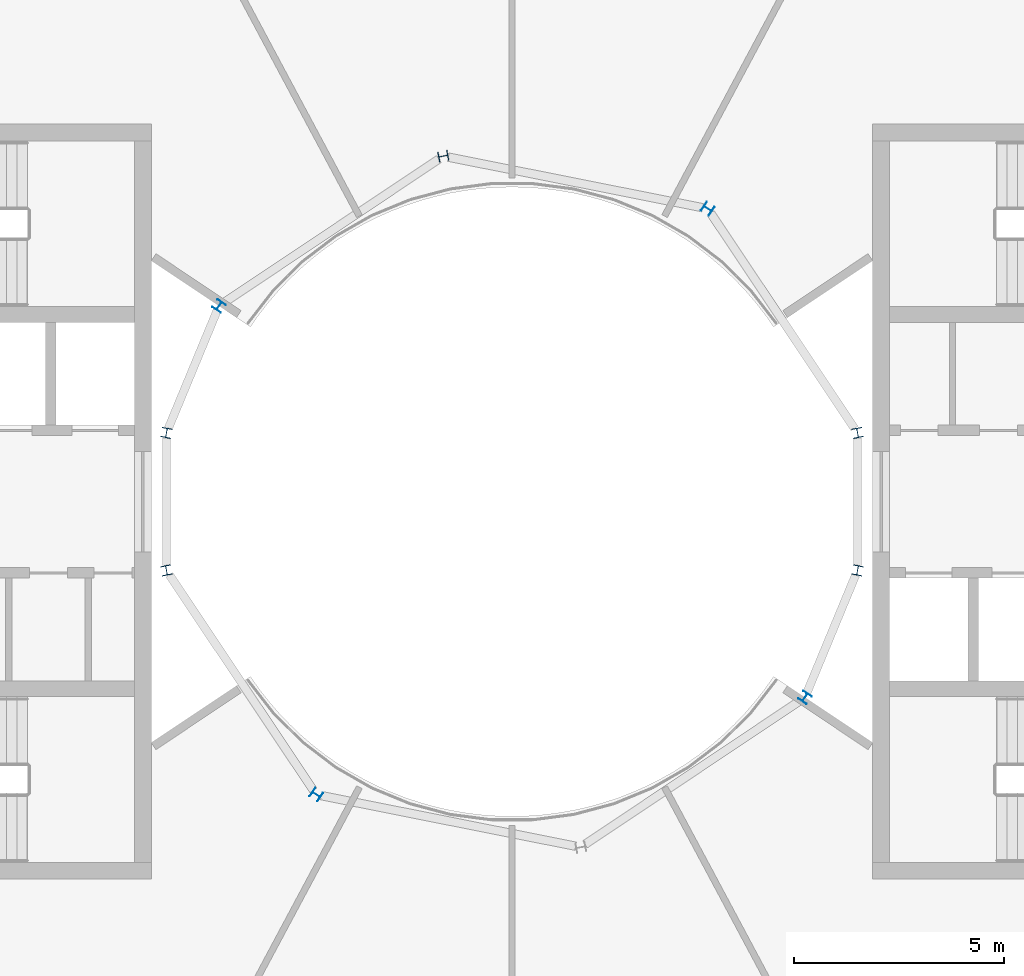
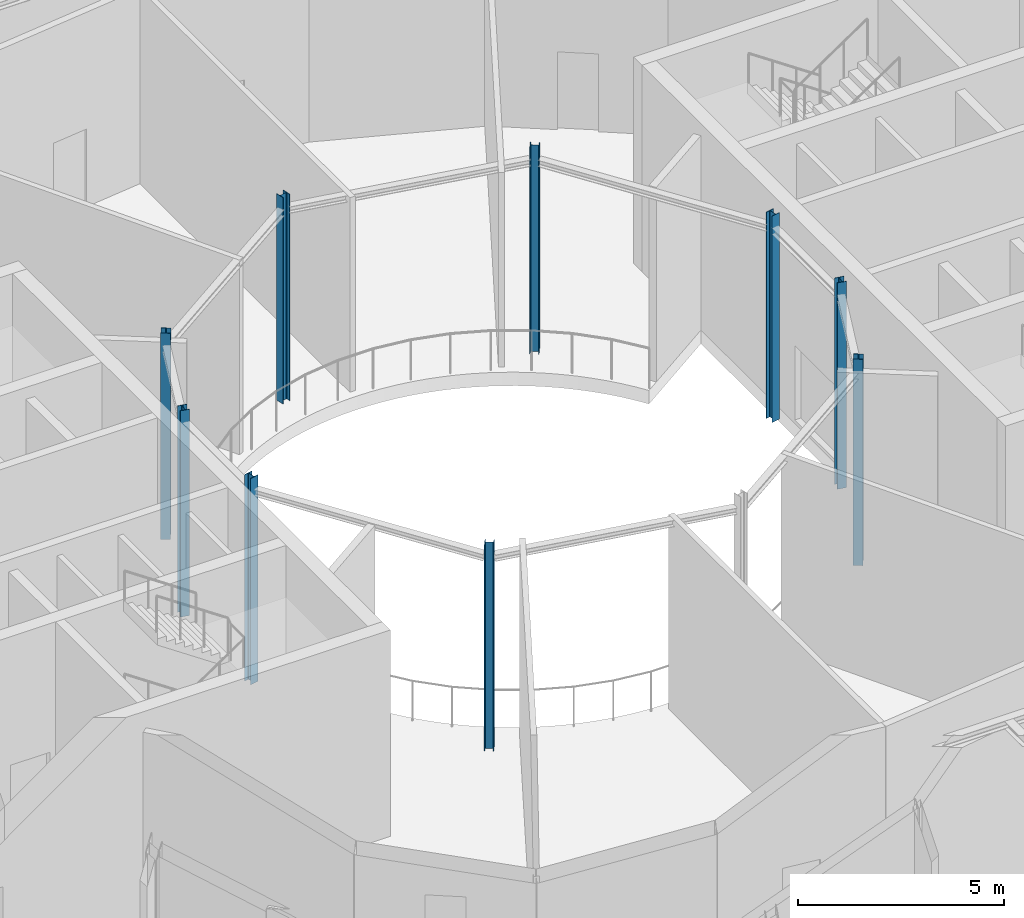
# One storey, part 2 of 20: 9 columns.
"""IFC4 building model written with IfcOpenShell, lengths in metres."""

from ifc_helpers import new_model, si_unit, direction, frame, origin, origin_2d, place, context, subcontext, project, spatial, i_section, extrude, material, material_profile, profile_set, type_object, element, save


model = new_model("IFC4")

# Units and contexts
model_context = context("Model", 3, precision=1e-05, world=origin(), true_north=direction((0.0, 1.0)))
body_context = subcontext(model_context, "Body", "Model", "MODEL_VIEW")
ifc_project = project(units=[si_unit("LENGTHUNIT", "METRE"), si_unit("AREAUNIT", "SQUARE_METRE"), si_unit("VOLUMEUNIT", "CUBIC_METRE"), si_unit("PLANEANGLEUNIT", "RADIAN"), si_unit("MASSUNIT", "GRAM", prefix="KILO")], contexts=[model_context])

# Site, building, storey
site_placement = place(None, origin())
site = spatial("IfcSite", under=ifc_project, at=site_placement, CompositionType="ELEMENT")
building_placement = place(site_placement, origin())
building = spatial("IfcBuilding", under=site, at=building_placement, Name="Maasbend Ring Residences", CompositionType="ELEMENT")
storey_placement = place(building_placement, frame((0.0, 0.0, 255.39990234375)))
storey = spatial("IfcBuildingStorey", under=building, at=storey_placement, Name="L74", CompositionType="ELEMENT", Elevation=255.39990234375)

# Columns
ifc_material = material(Name="Steel S355J2", Category="steel")
ifc_material_profile = material_profile(ifc_material, i_section(OverallWidth=0.239990234375, OverallDepth=0.22998046875, WebThickness=0.007568359375, FlangeThickness=0.011962890625, FilletRadius=0.02099609375, at=origin_2d()), Name="HEA 240")
ifc_profile_set = profile_set([ifc_material_profile], Name="Steel S355J2")
column_type = type_object("IfcColumnType", Name="Steel column HEA 240", PredefinedType="COLUMN", material=ifc_profile_set)
for number, where, z_axis, x_axis, name in (
    (1, (8.238525390625, 1.638916015625, 0.0), (0.0, 0.0, 1.0), (0.980785280403, 0.195090322016, 0.0), "Well ring column R1"),
    (2, (4.666748046875, 6.984375, 0.0), (0.0, 0.0, 1.0), (0.55557023302, 0.831469612303, 0.0), "Well ring column R3"),
    (3, (-1.638916015625, 8.238525390625, 0.0), (0.0, 0.0, 1.0), (-0.195090322016, 0.980785280403, 0.0), "Well ring column R5"),
    (4, (-6.984375, 4.666748046875, 0.0), (0.0, 0.0, 1.0), (-0.831469612303, 0.55557023302, 0.0), "Well ring column R7"),
    (5, (-8.238525390625, 1.638916015625, 0.0), (0.0, 0.0, 1.0), (-0.980785280403, 0.195090322016, 0.0), "Well ring column R8"),
    (6, (-8.238525390625, -1.638916015625, 0.0), (0.0, 0.0, 1.0), (-0.980785280403, -0.195090322016, 0.0), "Well ring column R9"),
    (7, (-4.666748046875, -6.984375, 0.0), (0.0, 0.0, 1.0), (-0.55557023302, -0.831469612303, 0.0), "Well ring column R11"),
    (8, (6.984375, -4.666748046875, 0.0), (0.0, 0.0, 1.0), (0.831469612303, -0.55557023302, 0.0), "Well ring column R15"),
    (9, (8.238525390625, -1.638916015625, 0.0), (0.0, 0.0, 1.0), (0.980785280403, -0.195090322016, 0.0), "Well ring column R16"),
):
    element("IfcColumn", number, at=place(storey_placement, frame(where, z_axis=z_axis, x_axis=x_axis)), inside=storey, type_object=column_type, Name=name, PredefinedType="COLUMN", context=body_context, shape_type="SweptSolid", body=[
        extrude(i_section(OverallWidth=0.239990234375, OverallDepth=0.22998046875, WebThickness=0.007568359375, FlangeThickness=0.011962890625, FilletRadius=0.02099609375, at=origin_2d()), origin(), (0.0, 0.0, 1.0), 6.10009765625),
    ])

save(model, "model.ifc")
